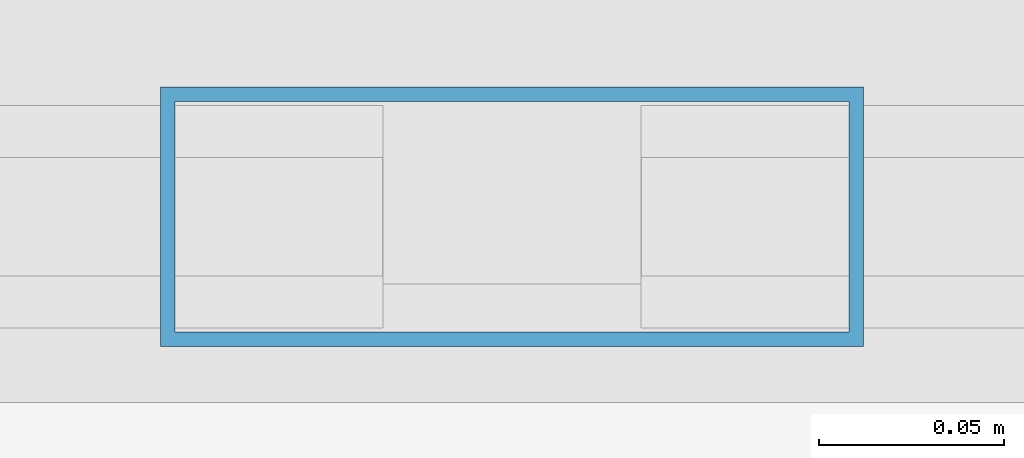
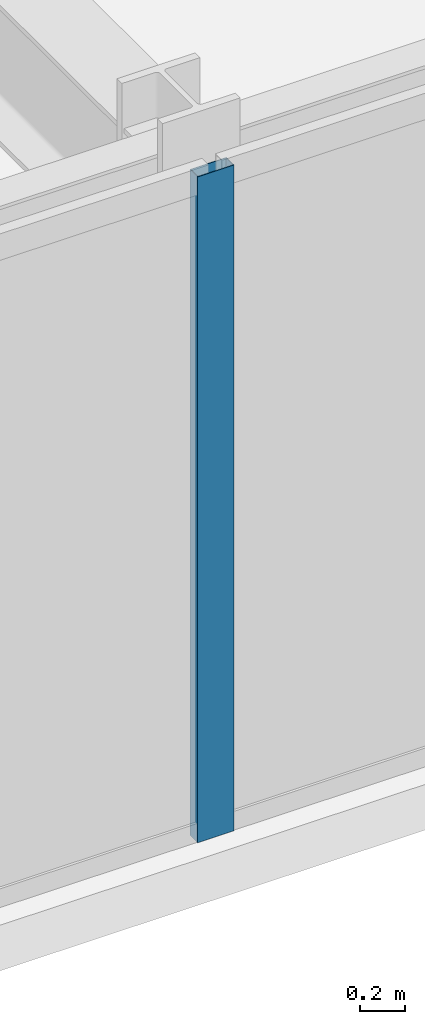
# One storey, part 7 of 35: 1 member, 1 element without a shape of its own.
"""IFC4 building model written with IfcOpenShell, lengths in metres."""

from ifc_helpers import new_model, si_unit, direction, frame, origin, origin_2d, place, context, subcontext, project, spatial, hollow_rectangle, extrude, source, transform, mapped, material, layer, layer_set, material_profile, profile_set, type_object, type_shapes, element, aggregate, save


model = new_model("IFC4")

# Units and contexts
model_context = context("Model", 3, precision=1e-05, world=origin(), true_north=direction((0.0, 1.0)))
body_context = subcontext(model_context, "Body", "Model", "MODEL_VIEW")
ifc_project = project(units=[si_unit("LENGTHUNIT", "METRE"), si_unit("AREAUNIT", "SQUARE_METRE"), si_unit("VOLUMEUNIT", "CUBIC_METRE"), si_unit("PLANEANGLEUNIT", "RADIAN"), si_unit("MASSUNIT", "GRAM", prefix="KILO")], contexts=[model_context])

# Site, building, storey
site_placement = place(None, origin())
site = spatial("IfcSite", under=ifc_project, at=site_placement, CompositionType="ELEMENT")
building_placement = place(site_placement, origin())
building = spatial("IfcBuilding", under=site, at=building_placement, Name="Varnel Quay Broadcast Tower", CompositionType="ELEMENT")
storey_placement = place(building_placement, frame((0.0, 0.0, 66.60009765625)))
storey = spatial("IfcBuildingStorey", under=building, at=storey_placement, Name="L15", CompositionType="ELEMENT", Elevation=66.60009765625)

# Curtain wall, member
ifc_material = material(Name="Anodised Bronze Aluminium 6063-T6", Category="aluminium")
ifc_layer = layer(ifc_material, 0.18994140625, Name="Anodised Bronze Aluminium 6063-T6")
ifc_layer_set = layer_set([ifc_layer], Name="Anodised Bronze Aluminium 6063-T6")
curtain_wall_type = type_object("IfcCurtainWallType", Name="CW_LowerTower", PredefinedType="NOTDEFINED", material=ifc_layer_set)
curtain_wall_placement = place(storey_placement, origin())
curtain_wall = element("IfcCurtainWall", 1, at=curtain_wall_placement, inside=storey, type_object=curtain_wall_type, Name="L15 South Unitised Curtain Wall 2", PredefinedType="NOTDEFINED")
ifc_material_profile = material_profile(ifc_material, hollow_rectangle(XDim=0.070068359375, YDim=0.18994140625, WallThickness=0.00390625, at=origin_2d()), Name="ALU70X190X4")
ifc_profile_set = profile_set([ifc_material_profile], Name="Anodised Bronze Aluminium 6063-T6")
member_type = type_object("IfcMemberType", Name="Mull_CWS-02", PredefinedType="MULLION", material=ifc_profile_set)
shared_shape = source(origin(), body_context, "Body", "SweptSolid", [
    extrude(hollow_rectangle(XDim=0.070068359375, YDim=0.18994140625, WallThickness=0.00390625, at=origin_2d()), origin(), (0.0, 0.0, 1.0), 3.64990234375),
])
type_shapes(member_type, [shared_shape])
member_placement = place(storey_placement, frame((34.0, 1.35009765625, 0.0), z_axis=(0.0, 0.0, 1.0), x_axis=(0.0, 1.0, 0.0)))
member = element("IfcMember", 2, at=member_placement, type_object=member_type, Name="CWS-02 mullion 2", PredefinedType="MULLION", context=body_context, shape_type="MappedRepresentation", body=[
    mapped(shared_shape, transform((0.0, 0.0, 0.0), x_axis=(1.0, 0.0, 0.0), y_axis=(0.0, 1.0, 0.0), z_axis=(0.0, 0.0, 1.0), scale=1.0)),
])
aggregate(curtain_wall, [member])

save(model, "model.ifc")
